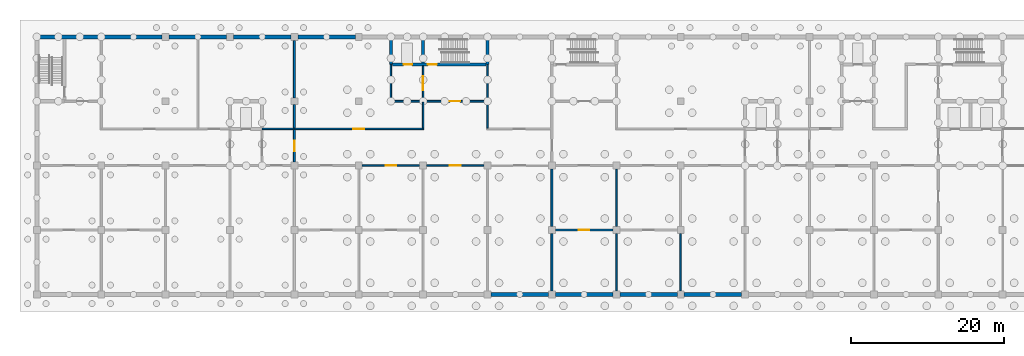
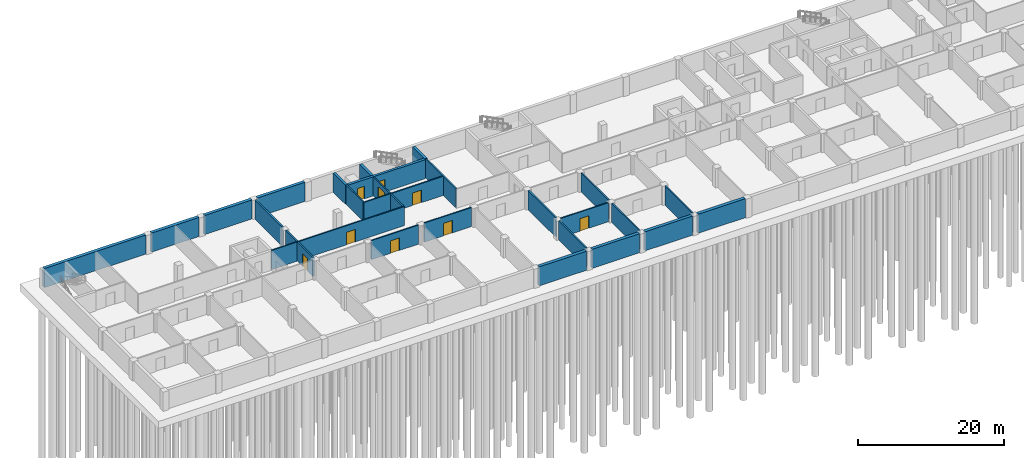
# One storey, part 5 of 11: 29 walls, 9 doors, 9 openings.
"""IFC4 building model written with IfcOpenShell, lengths in metres."""

from ifc_helpers import new_model, si_unit, direction, frame, frame_2d, origin, place, context, subcontext, project, spatial, rectangle, extrude, material, layer, layer_set, type_object, element, fill, save


model = new_model("IFC4")

# Units and contexts
model_context = context("Model", 3, precision=1e-05, world=origin(), true_north=direction((0.0, 1.0)))
body_context = subcontext(model_context, "Body", "Model", "MODEL_VIEW")
ifc_project = project(units=[si_unit("LENGTHUNIT", "METRE"), si_unit("AREAUNIT", "SQUARE_METRE"), si_unit("VOLUMEUNIT", "CUBIC_METRE"), si_unit("PLANEANGLEUNIT", "RADIAN"), si_unit("MASSUNIT", "GRAM", prefix="KILO")], contexts=[model_context])

# Site, building, storey
site_placement = place(None, origin())
site = spatial("IfcSite", under=ifc_project, at=site_placement, CompositionType="ELEMENT")
building_placement = place(site_placement, origin())
building = spatial("IfcBuilding", under=site, at=building_placement, Name="Yavir Park General Hospital", CompositionType="ELEMENT")
storey_placement = place(building_placement, frame((0.0, 0.0, -15.0)))
storey = spatial("IfcBuildingStorey", under=building, at=storey_placement, Name="B4", CompositionType="ELEMENT", Elevation=-15.0)

# Wall, opening, door
ifc_material_1 = material(Name="Concrete C30/37", Category="concrete")
ifc_layer_1 = layer(ifc_material_1, 0.25)
ifc_layer_set_1 = layer_set([ifc_layer_1], Name="Concrete C30/37")
wall_type_1 = type_object("IfcWallType", Name="Compartment fire wall 250, REI 150", PredefinedType="SOLIDWALL", material=ifc_layer_set_1)
wall_1_placement = place(storey_placement, frame((33.60009765625, 17.25, 0.0), z_axis=(0.0, 0.0, 1.0), x_axis=(0.0, 1.0, 0.0)))
wall_1 = element("IfcWall", 1, at=wall_1_placement, inside=storey, type_object=wall_type_1, Name="FW25 B4-072", PredefinedType="SOLIDWALL", context=body_context, shape_type="SweptSolid", body=[
    extrude(rectangle(XDim=4.25, YDim=0.25, at=frame_2d((2.125, 0.0))), origin(), (0.0, 0.0, 1.0), 3.199951171875),
])
opening_1_placement = place(wall_1_placement, frame((1.425048828125, 0.0, 0.0)))
opening_1 = element("IfcOpeningElement", 2, at=opening_1_placement, cuts=wall_1, Name="Opening B4.D059", PredefinedType="OPENING", context=body_context, shape_type="SweptSolid", body=[
    extrude(rectangle(XDim=1.39990234375, YDim=2.10009765625, at=frame_2d((0.699951171875, 1.050048828125))), frame((0.0, 0.135009765625, 0.0), z_axis=(0.0, -1.0, 0.0), x_axis=(1.0, 0.0, 0.0)), (0.0, 0.0, 1.0), 0.27001953125),
])
ifc_material_2 = material(Name="Steel frame, fire-resisting leaves with vision panels", Category="steel")
door_type_1 = type_object("IfcDoorType", Name="Double fire door with vision panels 1400 x 2100, EI 60", OperationType="DOUBLE_DOOR_SINGLE_SWING", PredefinedType="DOOR", material=ifc_material_2)
door_1_placement = place(opening_1_placement, origin())
door_1 = element("IfcDoor", 3, at=door_1_placement, inside=storey, type_object=door_type_1, Name="B4.D059", OperationType="SINGLE_SWING_LEFT", OverallHeight=2.10009765625, OverallWidth=1.39990234375, PredefinedType="DOOR", context=body_context, shape_type="SweptSolid", body=[
    extrude(rectangle(XDim=1.39990234375, YDim=2.10009765625, at=frame_2d((0.699951171875, 1.050048828125))), frame((0.0, 0.030029296875, 0.0), z_axis=(0.0, -1.0, 0.0), x_axis=(1.0, 0.0, 0.0)), (0.0, 0.0, 1.0), 0.06005859375),
])
fill(opening_1, door_1)

# Walls
wall_2_placement = place(storey_placement, frame((33.60009765625, 21.699951171875, 0.0), z_axis=(0.0, 0.0, 1.0), x_axis=(0.0, 1.0, 0.0)))
element("IfcWall", 4, at=wall_2_placement, inside=storey, type_object=wall_type_1, Name="FW25 B4-073", PredefinedType="SOLIDWALL", context=body_context, shape_type="SweptSolid", body=[
    extrude(rectangle(XDim=3.050048828125, YDim=0.25, at=frame_2d((1.52490234375, 0.0))), origin(), (0.0, 0.0, 1.0), 3.199951171875),
])
for number, where, z_axis, x_axis, name in (
    (5, (33.60009765625, 25.64990234375, 0.0), (0.0, 0.0, 1.0), (0.0, 1.0, 0.0), "FW25 B4-074"),
    (6, (67.199951171875, 0.449951171875, 0.0), (0.0, 0.0, 1.0), (0.0, 1.0, 0.0), "FW25 B4-088"),
    (7, (67.199951171875, 8.85009765625, 0.0), (0.0, 0.0, 1.0), (0.0, 1.0, 0.0), "FW25 B4-089"),
):
    element("IfcWall", number, at=place(storey_placement, frame(where, z_axis=z_axis, x_axis=x_axis)), inside=storey, type_object=wall_type_1, Name=name, PredefinedType="SOLIDWALL", context=body_context, shape_type="SweptSolid", body=[
        extrude(rectangle(XDim=7.5, YDim=0.25, at=frame_2d((3.75, 0.0))), origin(), (0.0, 0.0, 1.0), 3.199951171875),
    ])

# Wall, opening, door
ifc_material_3 = material(Name="Double gypsum board fire partition on steel studs", Category="steel")
ifc_layer_2 = layer(ifc_material_3, 0.199951171875)
ifc_layer_set_2 = layer_set([ifc_layer_2], Name="Double gypsum board fire partition on steel studs")
wall_type_2 = type_object("IfcWallType", Name="Fire-rated partition 200, EI 60", PredefinedType="PARTITIONING", material=ifc_layer_set_2)
wall_3_placement = place(storey_placement, frame((67.64990234375, 8.39990234375, 0.0), z_axis=(0.0, 0.0, 1.0), x_axis=(1.0, 0.0, 0.0)))
wall_3 = element("IfcWall", 8, at=wall_3_placement, inside=storey, type_object=wall_type_2, Name="FP20 B4-005", PredefinedType="PARTITIONING", context=body_context, shape_type="SweptSolid", body=[
    extrude(rectangle(XDim=7.5, YDim=0.199951171875, at=frame_2d((3.75, 0.0))), origin(), (0.0, 0.0, 1.0), 3.199951171875),
])
opening_2_placement = place(wall_3_placement, frame((3.050048828125, 0.0, 0.0)))
opening_2 = element("IfcOpeningElement", 9, at=opening_2_placement, cuts=wall_3, Name="Opening B4.D005", PredefinedType="OPENING", context=body_context, shape_type="SweptSolid", body=[
    extrude(rectangle(XDim=1.39990234375, YDim=2.10009765625, at=frame_2d((0.699951171875, 1.050048828125))), frame((0.0, 0.10986328125, 0.0), z_axis=(0.0, -1.0, 0.0), x_axis=(1.0, 0.0, 0.0)), (0.0, 0.0, 1.0), 0.219970703125),
])
ifc_material_4 = material(Name="Steel frame, fire-resisting timber leaves", Category="steel")
door_type_2 = type_object("IfcDoorType", Name="Double fire door 1400 x 2100, EI 60", OperationType="DOUBLE_DOOR_SINGLE_SWING", PredefinedType="DOOR", material=ifc_material_4)
door_2_placement = place(opening_2_placement, origin())
door_2 = element("IfcDoor", 10, at=door_2_placement, inside=storey, type_object=door_type_2, Name="B4.D005", OperationType="SINGLE_SWING_LEFT", OverallHeight=2.10009765625, OverallWidth=1.39990234375, PredefinedType="DOOR", context=body_context, shape_type="SweptSolid", body=[
    extrude(rectangle(XDim=1.39990234375, YDim=2.10009765625, at=frame_2d((0.699951171875, 1.050048828125))), frame((0.0, 0.02490234375, 0.0), z_axis=(0.0, -1.0, 0.0), x_axis=(1.0, 0.0, 0.0)), (0.0, 0.0, 1.0), 0.050048828125),
])
fill(opening_2, door_2)

wall_4_placement = place(storey_placement, frame((42.449951171875, 16.800048828125, 0.0), z_axis=(0.0, 0.0, 1.0), x_axis=(1.0, 0.0, 0.0)))
wall_4 = element("IfcWall", 11, at=wall_4_placement, inside=storey, type_object=wall_type_2, Name="FP20 B4-015", PredefinedType="PARTITIONING", context=body_context, shape_type="SweptSolid", body=[
    extrude(rectangle(XDim=7.5, YDim=0.199951171875, at=frame_2d((3.75, 0.0))), origin(), (0.0, 0.0, 1.0), 3.199951171875),
])
opening_3_placement = place(wall_4_placement, frame((3.050048828125, 0.0, 0.0)))
opening_3 = element("IfcOpeningElement", 12, at=opening_3_placement, cuts=wall_4, Name="Opening B4.D016", PredefinedType="OPENING", context=body_context, shape_type="SweptSolid", body=[
    extrude(rectangle(XDim=1.39990234375, YDim=2.10009765625, at=frame_2d((0.699951171875, 1.050048828125))), frame((0.0, 0.10986328125, 0.0), z_axis=(0.0, -1.0, 0.0), x_axis=(1.0, 0.0, 0.0)), (0.0, 0.0, 1.0), 0.219970703125),
])
door_3_placement = place(opening_3_placement, origin())
door_3 = element("IfcDoor", 13, at=door_3_placement, inside=storey, type_object=door_type_2, Name="B4.D016", OperationType="SINGLE_SWING_LEFT", OverallHeight=2.10009765625, OverallWidth=1.39990234375, PredefinedType="DOOR", context=body_context, shape_type="SweptSolid", body=[
    extrude(rectangle(XDim=1.39990234375, YDim=2.10009765625, at=frame_2d((0.699951171875, 1.050048828125))), frame((0.0, 0.02490234375, 0.0), z_axis=(0.0, -1.0, 0.0), x_axis=(1.0, 0.0, 0.0)), (0.0, 0.0, 1.0), 0.050048828125),
])
fill(opening_3, door_3)

wall_5_placement = place(storey_placement, frame((50.85009765625, 16.800048828125, 0.0), z_axis=(0.0, 0.0, 1.0), x_axis=(1.0, 0.0, 0.0)))
wall_5 = element("IfcWall", 14, at=wall_5_placement, inside=storey, type_object=wall_type_2, Name="FP20 B4-016", PredefinedType="PARTITIONING", context=body_context, shape_type="SweptSolid", body=[
    extrude(rectangle(XDim=7.5, YDim=0.199951171875, at=frame_2d((3.75, 0.0))), origin(), (0.0, 0.0, 1.0), 3.199951171875),
])
opening_4_placement = place(wall_5_placement, frame((3.050048828125, 0.0, 0.0)))
opening_4 = element("IfcOpeningElement", 15, at=opening_4_placement, cuts=wall_5, Name="Opening B4.D017", PredefinedType="OPENING", context=body_context, shape_type="SweptSolid", body=[
    extrude(rectangle(XDim=1.39990234375, YDim=2.10009765625, at=frame_2d((0.699951171875, 1.050048828125))), frame((0.0, 0.10986328125, 0.0), z_axis=(0.0, -1.0, 0.0), x_axis=(1.0, 0.0, 0.0)), (0.0, 0.0, 1.0), 0.219970703125),
])
door_4_placement = place(opening_4_placement, origin())
door_4 = element("IfcDoor", 16, at=door_4_placement, inside=storey, type_object=door_type_2, Name="B4.D017", OperationType="SINGLE_SWING_LEFT", OverallHeight=2.10009765625, OverallWidth=1.39990234375, PredefinedType="DOOR", context=body_context, shape_type="SweptSolid", body=[
    extrude(rectangle(XDim=1.39990234375, YDim=2.10009765625, at=frame_2d((0.699951171875, 1.050048828125))), frame((0.0, 0.02490234375, 0.0), z_axis=(0.0, -1.0, 0.0), x_axis=(1.0, 0.0, 0.0)), (0.0, 0.0, 1.0), 0.050048828125),
])
fill(opening_4, door_4)

wall_6_placement = place(storey_placement, frame((29.39990234375, 21.60009765625, 0.0), z_axis=(0.0, 0.0, 1.0), x_axis=(1.0, 0.0, 0.0)))
wall_6 = element("IfcWall", 17, at=wall_6_placement, inside=storey, type_object=wall_type_2, Name="FP20 B4-030", PredefinedType="PARTITIONING", context=body_context, shape_type="SweptSolid", body=[
    extrude(rectangle(XDim=21.10009765625, YDim=0.199951171875, at=frame_2d((10.550048828125, 0.0))), origin(), (0.0, 0.0, 1.0), 3.199951171875),
])
opening_5_placement = place(wall_6_placement, frame((11.89990234375, 0.0, 0.0)))
opening_5 = element("IfcOpeningElement", 18, at=opening_5_placement, cuts=wall_6, Name="Opening B4.D033", PredefinedType="OPENING", context=body_context, shape_type="SweptSolid", body=[
    extrude(rectangle(XDim=1.39990234375, YDim=2.10009765625, at=frame_2d((0.699951171875, 1.050048828125))), frame((0.0, 0.10986328125, 0.0), z_axis=(0.0, -1.0, 0.0), x_axis=(1.0, 0.0, 0.0)), (0.0, 0.0, 1.0), 0.219970703125),
])
door_5_placement = place(opening_5_placement, origin())
door_5 = element("IfcDoor", 19, at=door_5_placement, inside=storey, type_object=door_type_2, Name="B4.D033", OperationType="SINGLE_SWING_RIGHT", OverallHeight=2.10009765625, OverallWidth=1.39990234375, PredefinedType="DOOR", context=body_context, shape_type="SweptSolid", body=[
    extrude(rectangle(XDim=1.39990234375, YDim=2.10009765625, at=frame_2d((0.699951171875, 1.050048828125))), frame((0.0, 0.02490234375, 0.0), z_axis=(0.0, -1.0, 0.0), x_axis=(1.0, 0.0, 0.0)), (0.0, 0.0, 1.0), 0.050048828125),
])
fill(opening_5, door_5)

wall_7_placement = place(storey_placement, frame((46.10009765625, 25.199951171875, 0.0), z_axis=(0.0, 0.0, 1.0), x_axis=(1.0, 0.0, 0.0)))
wall_7 = element("IfcWall", 20, at=wall_7_placement, inside=storey, type_object=wall_type_2, Name="FP20 B4-043", PredefinedType="PARTITIONING", context=body_context, shape_type="SweptSolid", body=[
    extrude(rectangle(XDim=12.599853515625, YDim=0.199951171875, at=frame_2d((6.2998046875, 0.0))), origin(), (0.0, 0.0, 1.0), 3.199951171875),
])
opening_6_placement = place(wall_7_placement, frame((7.75, 0.0, 0.0)))
opening_6 = element("IfcOpeningElement", 21, at=opening_6_placement, cuts=wall_7, Name="Opening B4.D044", PredefinedType="OPENING", context=body_context, shape_type="SweptSolid", body=[
    extrude(rectangle(XDim=1.39990234375, YDim=2.10009765625, at=frame_2d((0.699951171875, 1.050048828125))), frame((0.0, 0.10986328125, 0.0), z_axis=(0.0, -1.0, 0.0), x_axis=(1.0, 0.0, 0.0)), (0.0, 0.0, 1.0), 0.219970703125),
])
door_6_placement = place(opening_6_placement, origin())
door_6 = element("IfcDoor", 22, at=door_6_placement, inside=storey, type_object=door_type_1, Name="B4.D044", OperationType="SINGLE_SWING_RIGHT", OverallHeight=2.10009765625, OverallWidth=1.39990234375, PredefinedType="DOOR", context=body_context, shape_type="SweptSolid", body=[
    extrude(rectangle(XDim=1.39990234375, YDim=2.10009765625, at=frame_2d((0.699951171875, 1.050048828125))), frame((0.0, 0.030029296875, 0.0), z_axis=(0.0, -1.0, 0.0), x_axis=(1.0, 0.0, 0.0)), (0.0, 0.0, 1.0), 0.06005859375),
])
fill(opening_6, door_6)

# Walls
wall_8_placement = place(storey_placement, frame((46.199951171875, 25.300048828125, 0.0), z_axis=(0.0, 0.0, 1.0), x_axis=(0.0, 1.0, 0.0)))
element("IfcWall", 23, at=wall_8_placement, inside=storey, type_object=wall_type_2, Name="FP20 B4-077", PredefinedType="PARTITIONING", context=body_context, shape_type="SweptSolid", body=[
    extrude(rectangle(XDim=4.699951171875, YDim=0.199951171875, at=frame_2d((2.35009765625, 0.0))), origin(), (0.0, 0.0, 1.0), 3.199951171875),
])
wall_9_placement = place(storey_placement, frame((50.39990234375, 21.699951171875, 0.0), z_axis=(0.0, 0.0, 1.0), x_axis=(0.0, 1.0, 0.0)))
element("IfcWall", 24, at=wall_9_placement, inside=storey, type_object=wall_type_2, Name="FP20 B4-081", PredefinedType="PARTITIONING", context=body_context, shape_type="SweptSolid", body=[
    extrude(rectangle(XDim=3.400146484375, YDim=0.199951171875, at=frame_2d((1.7001953125, 0.0))), origin(), (0.0, 0.0, 1.0), 3.199951171875),
])

# Wall, opening, door
wall_10_placement = place(storey_placement, frame((50.39990234375, 25.300048828125, 0.0), z_axis=(0.0, 0.0, 1.0), x_axis=(0.0, 1.0, 0.0)))
wall_10 = element("IfcWall", 25, at=wall_10_placement, inside=storey, type_object=wall_type_2, Name="FP20 B4-082", PredefinedType="PARTITIONING", context=body_context, shape_type="SweptSolid", body=[
    extrude(rectangle(XDim=4.5, YDim=0.199951171875, at=frame_2d((2.25, 0.0))), origin(), (0.0, 0.0, 1.0), 3.199951171875),
])
opening_7_placement = place(wall_10_placement, frame((1.35009765625, 0.0, 0.0)))
opening_7 = element("IfcOpeningElement", 26, at=opening_7_placement, cuts=wall_10, Name="Opening B4.D060", PredefinedType="OPENING", context=body_context, shape_type="SweptSolid", body=[
    extrude(rectangle(XDim=1.800048828125, YDim=2.39990234375, at=frame_2d((0.89990234375, 1.199951171875))), frame((0.0, 0.10986328125, 0.0), z_axis=(0.0, -1.0, 0.0), x_axis=(1.0, 0.0, 0.0)), (0.0, 0.0, 1.0), 0.219970703125),
])
ifc_material_5 = material(Name="Steel frame, fire-resisting timber leaves", Category="steel")
door_type_3 = type_object("IfcDoorType", Name="Double fire door 1800 x 2400, EI 60", OperationType="DOUBLE_DOOR_SINGLE_SWING", PredefinedType="DOOR", material=ifc_material_5)
door_7_placement = place(opening_7_placement, origin())
door_7 = element("IfcDoor", 27, at=door_7_placement, inside=storey, type_object=door_type_3, Name="B4.D060", OperationType="SINGLE_SWING_LEFT", OverallHeight=2.39990234375, OverallWidth=1.800048828125, PredefinedType="DOOR", context=body_context, shape_type="SweptSolid", body=[
    extrude(rectangle(XDim=1.800048828125, YDim=2.39990234375, at=frame_2d((0.89990234375, 1.199951171875))), frame((0.0, 0.02490234375, 0.0), z_axis=(0.0, -1.0, 0.0), x_axis=(1.0, 0.0, 0.0)), (0.0, 0.0, 1.0), 0.050048828125),
])
fill(opening_7, door_7)

# Walls
wall_11_placement = place(storey_placement, frame((58.800048828125, 21.699951171875, 0.0), z_axis=(0.0, 0.0, 1.0), x_axis=(0.0, 1.0, 0.0)))
element("IfcWall", 28, at=wall_11_placement, inside=storey, type_object=wall_type_2, Name="FP20 B4-086", PredefinedType="PARTITIONING", context=body_context, shape_type="SweptSolid", body=[
    extrude(rectangle(XDim=8.300048828125, YDim=0.199951171875, at=frame_2d((4.14990234375, 0.0))), origin(), (0.0, 0.0, 1.0), 3.199951171875),
])
for number, where, z_axis, x_axis, name in (
    (29, (75.60009765625, 0.449951171875, 0.0), (0.0, 0.0, 1.0), (0.0, 1.0, 0.0), "FP20 B4-092"),
    (30, (75.60009765625, 8.85009765625, 0.0), (0.0, 0.0, 1.0), (0.0, 1.0, 0.0), "FP20 B4-093"),
    (31, (84.0, 0.449951171875, 0.0), (0.0, 0.0, 1.0), (0.0, 1.0, 0.0), "FP20 B4-096"),
):
    element("IfcWall", number, at=place(storey_placement, frame(where, z_axis=z_axis, x_axis=x_axis)), inside=storey, type_object=wall_type_2, Name=name, PredefinedType="PARTITIONING", context=body_context, shape_type="SweptSolid", body=[
        extrude(rectangle(XDim=7.5, YDim=0.199951171875, at=frame_2d((3.75, 0.0))), origin(), (0.0, 0.0, 1.0), 3.199951171875),
    ])
ifc_material_6 = material(Name="Concrete C35/45", Category="concrete")
ifc_layer_3 = layer(ifc_material_6, 0.5)
ifc_layer_set_3 = layer_set([ifc_layer_3], Name="Concrete C35/45")
wall_type_3 = type_object("IfcWallType", Name="RC WALL RETAINING 500", PredefinedType="SOLIDWALL", material=ifc_layer_set_3)
for number, where, z_axis, x_axis, name in (
    (32, (59.25, 0.0, 0.0), (0.0, 0.0, 1.0), (1.0, 0.0, 0.0), "W:RET:B4:S7"),
    (33, (67.64990234375, 0.0, 0.0), (0.0, 0.0, 1.0), (1.0, 0.0, 0.0), "W:RET:B4:S8"),
    (34, (76.050048828125, 0.0, 0.0), (0.0, 0.0, 1.0), (1.0, 0.0, 0.0), "W:RET:B4:S9"),
    (35, (84.449951171875, 0.0, 0.0), (0.0, 0.0, 1.0), (1.0, 0.0, 0.0), "W:RET:B4:S10"),
):
    element("IfcWall", number, at=place(storey_placement, frame(where, z_axis=z_axis, x_axis=x_axis)), inside=storey, type_object=wall_type_3, Name=name, PredefinedType="SOLIDWALL", context=body_context, shape_type="SweptSolid", body=[
        extrude(rectangle(XDim=7.5, YDim=0.5, at=frame_2d((3.75, 0.0))), origin(), (0.0, 0.0, 1.0), 3.199951171875),
    ])
wall_12_placement = place(storey_placement, frame((0.25, 33.60009765625, 0.0), z_axis=(0.0, 0.0, 1.0), x_axis=(1.0, 0.0, 0.0)))
element("IfcWall", 36, at=wall_12_placement, inside=storey, type_object=wall_type_3, Name="W:RET:B4:N20", PredefinedType="SOLIDWALL", context=body_context, shape_type="SweptSolid", body=[
    extrude(rectangle(XDim=16.10009765625, YDim=0.5, at=frame_2d((8.050048828125, 0.0))), origin(), (0.0, 0.0, 1.0), 3.199951171875),
])
for number, where, z_axis, x_axis, name in (
    (37, (17.25, 33.60009765625, 0.0), (0.0, 0.0, 1.0), (1.0, 0.0, 0.0), "W:RET:B4:N21"),
    (38, (25.64990234375, 33.60009765625, 0.0), (0.0, 0.0, 1.0), (1.0, 0.0, 0.0), "W:RET:B4:N22"),
    (39, (34.050048828125, 33.60009765625, 0.0), (0.0, 0.0, 1.0), (1.0, 0.0, 0.0), "W:RET:B4:N23"),
):
    element("IfcWall", number, at=place(storey_placement, frame(where, z_axis=z_axis, x_axis=x_axis)), inside=storey, type_object=wall_type_3, Name=name, PredefinedType="SOLIDWALL", context=body_context, shape_type="SweptSolid", body=[
        extrude(rectangle(XDim=7.5, YDim=0.5, at=frame_2d((3.75, 0.0))), origin(), (0.0, 0.0, 1.0), 3.199951171875),
    ])

# Wall, openings, doors
ifc_material_7 = material(Name="Concrete C35/45", Category="concrete")
ifc_layer_4 = layer(ifc_material_7, 0.39990234375)
ifc_layer_set_4 = layer_set([ifc_layer_4], Name="Concrete C35/45")
wall_type_4 = type_object("IfcWallType", Name="Reinforced concrete core wall 400, REI 150", PredefinedType="SHEAR", material=ifc_layer_set_4)
wall_13_placement = place(storey_placement, frame((46.39990234375, 30.0, 0.0), z_axis=(0.0, 0.0, 1.0), x_axis=(1.0, 0.0, 0.0)))
wall_13 = element("IfcWall", 40, at=wall_13_placement, inside=storey, type_object=wall_type_4, Name="CW40 B4-051", PredefinedType="SHEAR", context=body_context, shape_type="SweptSolid", body=[
    extrude(rectangle(XDim=12.2001953125, YDim=0.39990234375, at=frame_2d((6.10009765625, 0.0))), origin(), (0.0, 0.0, 1.0), 3.199951171875),
])
opening_8_placement = place(wall_13_placement, frame((1.449951171875, 0.0, 0.0)))
opening_8 = element("IfcOpeningElement", 41, at=opening_8_placement, cuts=wall_13, Name="Opening B4.D049", PredefinedType="OPENING", context=body_context, shape_type="SweptSolid", body=[
    extrude(rectangle(XDim=1.10009765625, YDim=2.10009765625, at=frame_2d((0.550048828125, 1.050048828125))), frame((0.0, 0.2099609375, 0.0), z_axis=(0.0, -1.0, 0.0), x_axis=(1.0, 0.0, 0.0)), (0.0, 0.0, 1.0), 0.419921875),
])
opening_9_placement = place(wall_13_placement, frame((4.60009765625, 0.0, 0.0)))
opening_9 = element("IfcOpeningElement", 42, at=opening_9_placement, cuts=wall_13, Name="Opening B4.D050", PredefinedType="OPENING", context=body_context, shape_type="SweptSolid", body=[
    extrude(rectangle(XDim=1.199951171875, YDim=2.10009765625, at=frame_2d((0.60009765625, 1.050048828125))), frame((0.0, 0.2099609375, 0.0), z_axis=(0.0, -1.0, 0.0), x_axis=(1.0, 0.0, 0.0)), (0.0, 0.0, 1.0), 0.419921875),
])
ifc_material_8 = material(Name="Steel frame, fire-resisting timber leaf", Category="steel")
door_type_4 = type_object("IfcDoorType", Name="Fire door 1200 x 2100, EI 60", OperationType="SINGLE_SWING_LEFT", PredefinedType="DOOR", material=ifc_material_8)
door_8_placement = place(opening_9_placement, origin())
door_8 = element("IfcDoor", 43, at=door_8_placement, inside=storey, type_object=door_type_4, Name="B4.D050", OperationType="SINGLE_SWING_RIGHT", OverallHeight=2.10009765625, OverallWidth=1.199951171875, PredefinedType="DOOR", context=body_context, shape_type="SweptSolid", body=[
    extrude(rectangle(XDim=1.199951171875, YDim=2.10009765625, at=frame_2d((0.60009765625, 1.050048828125))), frame((0.0, 0.02490234375, 0.0), z_axis=(0.0, -1.0, 0.0), x_axis=(1.0, 0.0, 0.0)), (0.0, 0.0, 1.0), 0.050048828125),
])
fill(opening_9, door_8)
ifc_material_9 = material(Name="Stainless steel landing door panels", Category="steel")
door_type_5 = type_object("IfcDoorType", Name="Lift landing door 1100 x 2100, EI 60", OperationType="SLIDING_TO_LEFT", PredefinedType="DOOR", material=ifc_material_9)
door_9_placement = place(opening_8_placement, origin())
door_9 = element("IfcDoor", 44, at=door_9_placement, inside=storey, type_object=door_type_5, Name="B4.D049", OperationType="SLIDING_TO_LEFT", OverallHeight=2.10009765625, OverallWidth=1.10009765625, PredefinedType="DOOR", context=body_context, shape_type="SweptSolid", body=[
    extrude(rectangle(XDim=1.10009765625, YDim=2.10009765625, at=frame_2d((0.550048828125, 1.050048828125))), frame((0.0, 0.02490234375, 0.0), z_axis=(0.0, -1.0, 0.0), x_axis=(1.0, 0.0, 0.0)), (0.0, 0.0, 1.0), 0.050048828125),
])
fill(opening_8, door_9)

# Walls
wall_14_placement = place(storey_placement, frame((46.199951171875, 30.0, 0.0), z_axis=(0.0, 0.0, 1.0), x_axis=(0.0, 1.0, 0.0)))
element("IfcWall", 45, at=wall_14_placement, inside=storey, type_object=wall_type_4, Name="CW40 B4-078", PredefinedType="SHEAR", context=body_context, shape_type="SweptSolid", body=[
    extrude(rectangle(XDim=3.35009765625, YDim=0.39990234375, at=frame_2d((1.675048828125, 0.0))), origin(), (0.0, 0.0, 1.0), 3.199951171875),
])
wall_15_placement = place(storey_placement, frame((50.39990234375, 30.199951171875, 0.0), z_axis=(0.0, 0.0, 1.0), x_axis=(0.0, 1.0, 0.0)))
element("IfcWall", 46, at=wall_15_placement, inside=storey, type_object=wall_type_4, Name="CW40 B4-083", PredefinedType="SHEAR", context=body_context, shape_type="SweptSolid", body=[
    extrude(rectangle(XDim=3.150146484375, YDim=0.39990234375, at=frame_2d((1.5751953125, 0.0))), origin(), (0.0, 0.0, 1.0), 3.199951171875),
])
wall_16_placement = place(storey_placement, frame((58.800048828125, 30.0, 0.0), z_axis=(0.0, 0.0, 1.0), x_axis=(0.0, 1.0, 0.0)))
element("IfcWall", 47, at=wall_16_placement, inside=storey, type_object=wall_type_4, Name="CW40 B4-087", PredefinedType="SHEAR", context=body_context, shape_type="SweptSolid", body=[
    extrude(rectangle(XDim=3.35009765625, YDim=0.39990234375, at=frame_2d((1.675048828125, 0.0))), origin(), (0.0, 0.0, 1.0), 3.199951171875),
])

save(model, "model.ifc")
